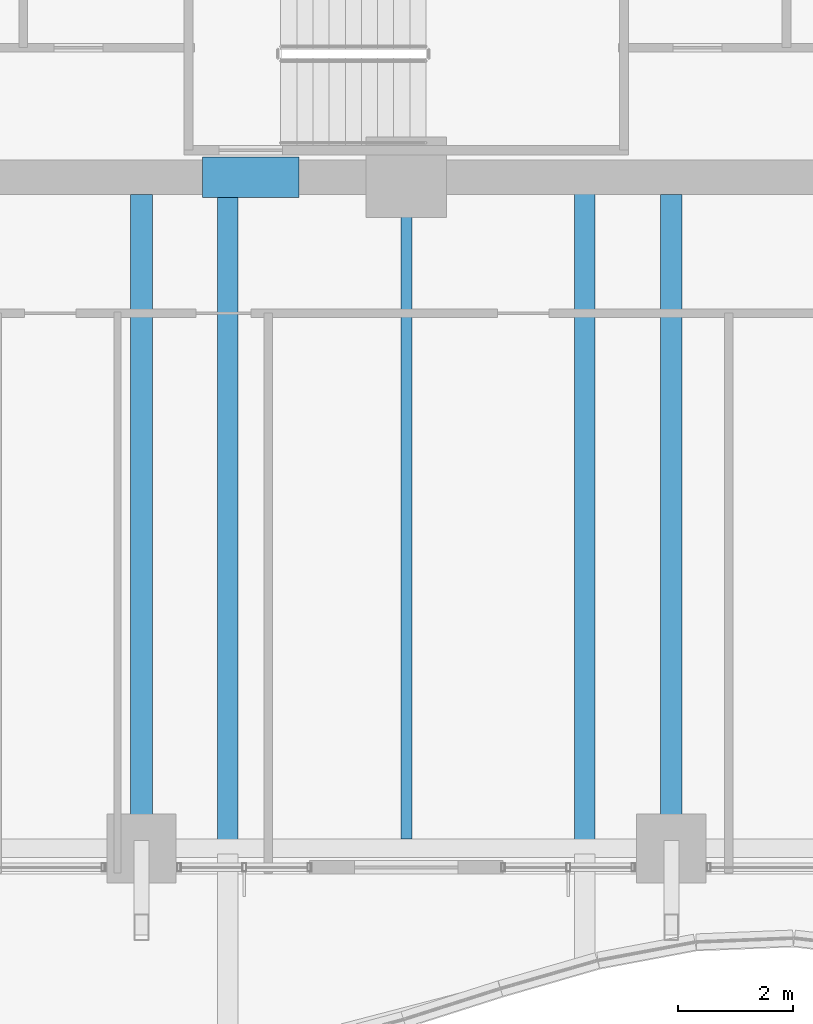
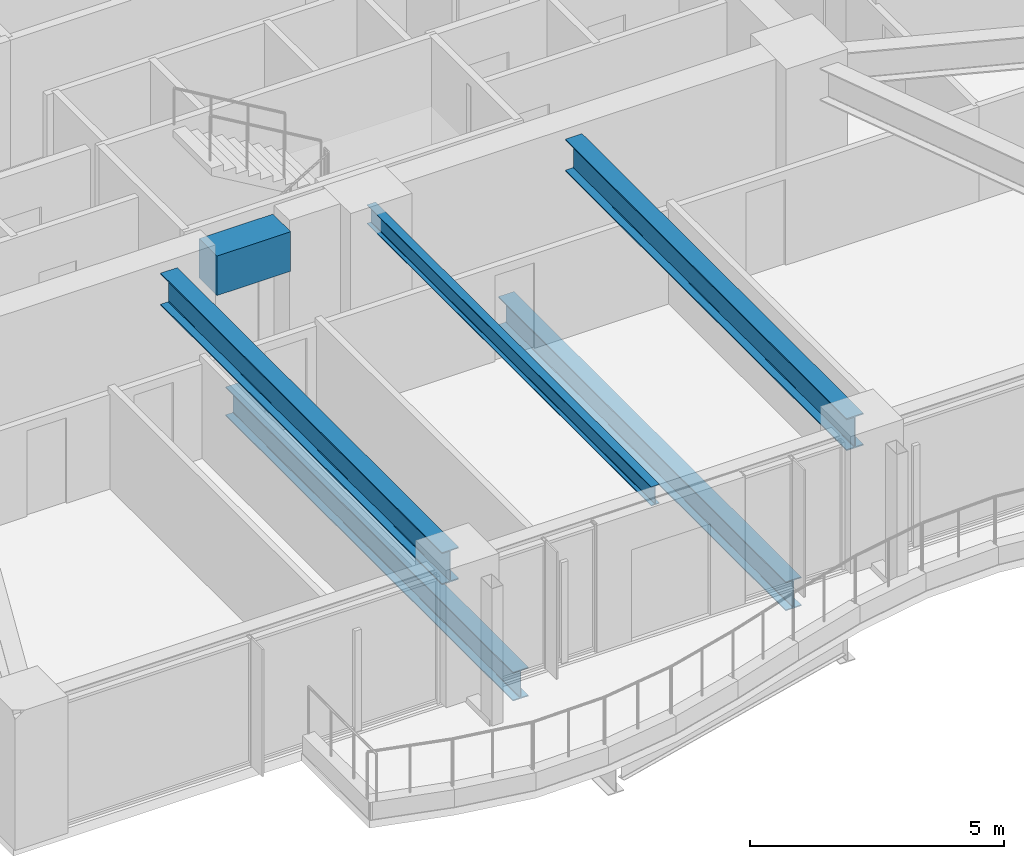
# One storey, part 6 of 38: 6 beams.
"""IFC4 building model written with IfcOpenShell, lengths in metres."""

from ifc_helpers import new_model, si_unit, direction, frame, origin, origin_2d, place, context, subcontext, project, spatial, rectangle, i_section, extrude, material, material_profile, profile_set, type_object, element, save


model = new_model("IFC4")

# Units and contexts
model_context = context("Model", 3, precision=1e-05, world=origin(), true_north=direction((0.0, 1.0)))
body_context = subcontext(model_context, "Body", "Model", "MODEL_VIEW")
ifc_project = project(units=[si_unit("LENGTHUNIT", "METRE"), si_unit("AREAUNIT", "SQUARE_METRE"), si_unit("VOLUMEUNIT", "CUBIC_METRE"), si_unit("PLANEANGLEUNIT", "RADIAN"), si_unit("MASSUNIT", "GRAM", prefix="KILO")], contexts=[model_context])

# Site, building, storey
site_placement = place(None, origin())
site = spatial("IfcSite", under=ifc_project, at=site_placement, CompositionType="ELEMENT")
building_placement = place(site_placement, origin())
building = spatial("IfcBuilding", under=site, at=building_placement, Name="Kolvaren Belvedere", CompositionType="ELEMENT")
storey_placement = place(building_placement, frame((0.0, 0.0, 50.199951171875)))
storey = spatial("IfcBuildingStorey", under=building, at=storey_placement, Name="L14", CompositionType="ELEMENT", Elevation=50.199951171875)

# Beams
ifc_material_1 = material(Name="Structural steel ASTM A992 Grade 50", Category="steel")
ifc_material_profile_1 = material_profile(ifc_material_1, i_section(OverallWidth=0.35498046875, OverallDepth=0.696044921875, WebThickness=0.015380859375, FlangeThickness=0.02490234375, FilletRadius=0.02197265625, at=origin_2d()), Name="W27X146")
ifc_profile_set_1 = profile_set([ifc_material_profile_1], Name="Structural steel ASTM A992 Grade 50")
beam_type_1 = type_object("IfcBeamType", Name="BM-GIRD-W27X146", PredefinedType="BEAM", material=ifc_profile_set_1)
for number, where, z_axis, x_axis, name in (
    (1, (-3.10009765625, -10.139892578125, -0.587890625), (0.0, -1.0, 0.0), (1.0, 0.0, 0.0), "L14 Balcony Interior Back-Span Girder BAL-S-1"),
    (2, (3.10009765625, -10.139892578125, -0.587890625), (0.0, -1.0, 0.0), (1.0, 0.0, 0.0), "L14 Balcony Interior Back-Span Girder BAL-S-2"),
):
    element("IfcBeam", number, at=place(storey_placement, frame(where, z_axis=z_axis, x_axis=x_axis)), inside=storey, type_object=beam_type_1, Name=name, PredefinedType="BEAM", context=body_context, shape_type="SweptSolid", body=[
        extrude(i_section(OverallWidth=0.35498046875, OverallDepth=0.696044921875, WebThickness=0.015380859375, FlangeThickness=0.02490234375, FilletRadius=0.02197265625, at=origin_2d()), origin(), (0.0, 0.0, 1.0), 11.315185546875),
    ])
ifc_material_2 = material(Name="Structural steel ASTM A992 Grade 50", Category="steel")
ifc_material_profile_2 = material_profile(ifc_material_2, i_section(OverallWidth=0.381103515625, OverallDepth=0.77294921875, WebThickness=0.0166015625, FlangeThickness=0.027099609375, FilletRadius=0.02392578125, at=origin_2d()), Name="W30X173")
ifc_profile_set_2 = profile_set([ifc_material_profile_2], Name="Structural steel ASTM A992 Grade 50")
beam_type_2 = type_object("IfcBeamType", Name="BM-GIRD-W30X173", PredefinedType="BEAM", material=ifc_profile_set_2)
for number, where, z_axis, x_axis, name in (
    (3, (4.60009765625, -10.199951171875, 2.673583984375), (0.0, -1.0, 0.0), (1.0, 0.0, 0.0), "L14 South Radial Girder P"),
    (4, (-4.60009765625, -10.199951171875, 2.673583984375), (0.0, -1.0, 0.0), (1.0, 0.0, 0.0), "L14 South Radial Girder M"),
):
    element("IfcBeam", number, at=place(storey_placement, frame(where, z_axis=z_axis, x_axis=x_axis)), inside=storey, type_object=beam_type_2, Name=name, PredefinedType="BEAM", context=body_context, shape_type="SweptSolid", body=[
        extrude(i_section(OverallWidth=0.381103515625, OverallDepth=0.77294921875, WebThickness=0.0166015625, FlangeThickness=0.027099609375, FilletRadius=0.02392578125, at=origin_2d()), origin(), (0.0, 0.0, 1.0), 11.080078125),
    ])
ifc_material_3 = material(Name="Structural steel ASTM A992 Grade 50", Category="steel")
ifc_material_profile_3 = material_profile(ifc_material_3, i_section(OverallWidth=0.19091796875, OverallDepth=0.4599609375, WebThickness=0.010009765625, FlangeThickness=0.01611328125, FilletRadius=0.014892578125, at=origin_2d()), Name="W18X55")
ifc_profile_set_3 = profile_set([ifc_material_profile_3], Name="Structural steel ASTM A992 Grade 50")
beam_type_3 = type_object("IfcBeamType", Name="BM-JOIST-W18X55", PredefinedType="BEAM", material=ifc_profile_set_3)
beam_1_placement = place(storey_placement, frame((0.0, -10.199951171875, 2.830078125), z_axis=(0.0, -1.0, 0.0), x_axis=(1.0, 0.0, 0.0)))
element("IfcBeam", 5, at=beam_1_placement, inside=storey, type_object=beam_type_3, Name="L14 South Centre Floor Beam", PredefinedType="BEAM", context=body_context, shape_type="SweptSolid", body=[
    extrude(i_section(OverallWidth=0.19091796875, OverallDepth=0.4599609375, WebThickness=0.010009765625, FlangeThickness=0.01611328125, FilletRadius=0.014892578125, at=origin_2d()), origin(), (0.0, 0.0, 1.0), 11.1875),
])
ifc_material_4 = material(Name="Concrete C60/75", Category="concrete")
ifc_material_profile_4 = material_profile(ifc_material_4, rectangle(XDim=0.699951171875, YDim=0.949951171875, at=origin_2d()), Name="RC 700X950")
ifc_profile_set_4 = profile_set([ifc_material_profile_4], Name="Concrete C60/75")
beam_type_4 = type_object("IfcBeamType", Name="BM-LINT-950", PredefinedType="LINTEL", material=ifc_profile_set_4)
beam_2_placement = place(storey_placement, frame((-3.5400390625, -9.89990234375, 2.5849609375), z_axis=(1.0, 0.0, 0.0), x_axis=(0.0, 1.0, 0.0)))
element("IfcBeam", 6, at=beam_2_placement, inside=storey, type_object=beam_type_4, Name="L14 South Core Coupling Lintel", PredefinedType="LINTEL", context=body_context, shape_type="SweptSolid", body=[
    extrude(rectangle(XDim=0.699951171875, YDim=0.949951171875, at=origin_2d()), origin(), (0.0, 0.0, 1.0), 1.679931640625),
])

save(model, "model.ifc")
